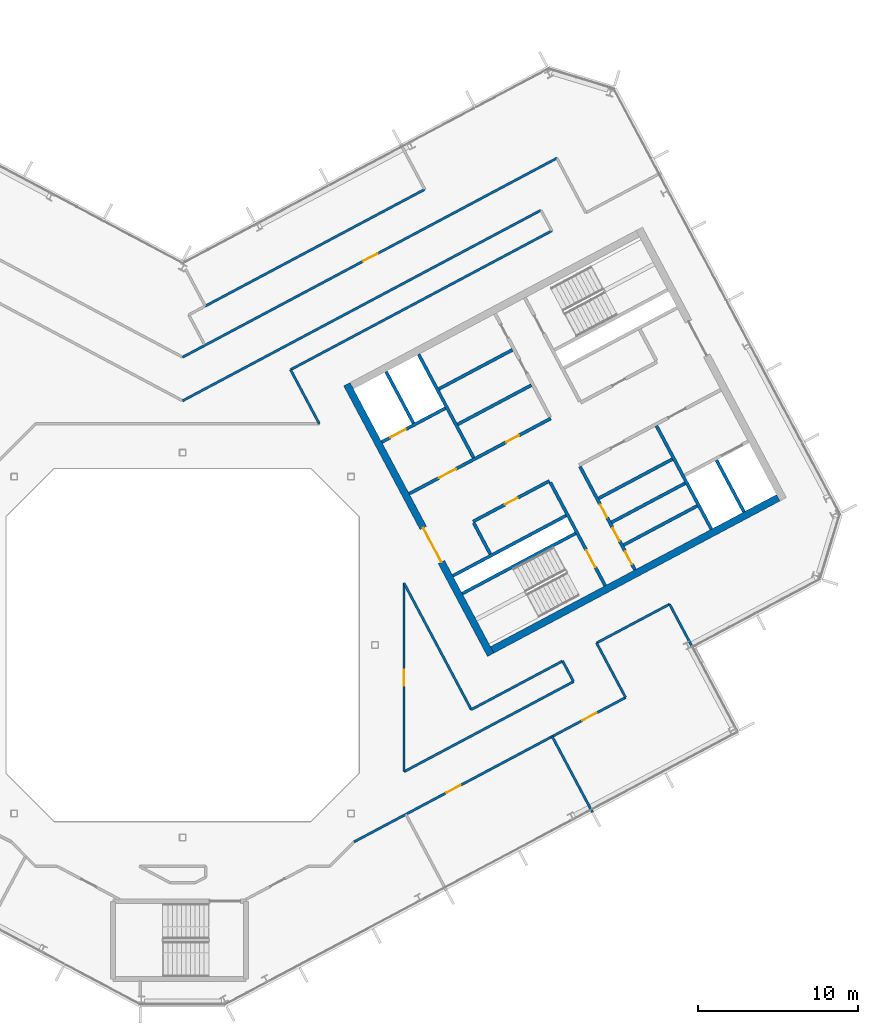
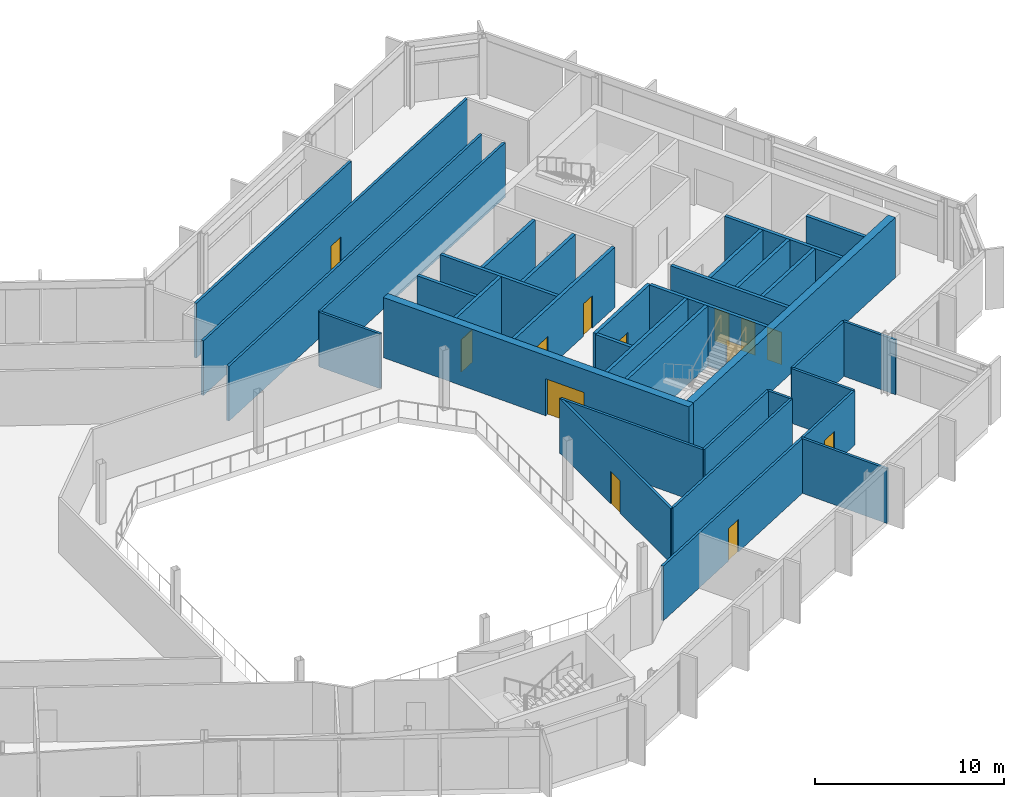
# One storey, part 16 of 26: 35 walls, 13 doors, 13 openings.
"""IFC4 building model written with IfcOpenShell, lengths in metres."""

import ifcopenshell
import ifcopenshell.guid

model = None  # the IFC model being written
_history = None  # IfcOwnerHistory: only IFC2X3 demands one
_inside = {}  # id of a spatial element -> (the spatial element, [elements in it])
_under = {}  # id of a project, library or spatial element -> (it, [spatial elements below it])
_declared = {}  # id of a project -> (the project, [libraries it declares])
_typed = {}  # id of a type object -> (the type object, [elements of that type])
_made_of = {}  # id of a material, layer set ... -> (it, [elements and type objects made of it])


def new_model(schema):
    """Start an empty IFC model of exactly this schema.

    Asked for "IFC4X3", IfcOpenShell would pick the latest addendum, in which some entities
    have other attributes; the version numbers below select the first issue.
    IFC2X3 requires an IfcOwnerHistory on every rooted entity: one is made here for all.
    """
    global model, _history
    if schema == "IFC4X3":
        model = ifcopenshell.file(schema_version=(4, 3, 0, 0))
    else:
        model = ifcopenshell.file(schema=schema)
    _inside.clear()
    _under.clear()
    _declared.clear()
    _typed.clear()
    _made_of.clear()
    _history = None
    if model.schema == "IFC2X3":
        org = make("IfcOrganization", Name="unknown")
        user = make(
            "IfcPersonAndOrganization",
            ThePerson=make("IfcPerson", FamilyName="unknown"),
            TheOrganization=org,
        )
        app = make(
            "IfcApplication",
            ApplicationDeveloper=org,
            Version="unknown",
            ApplicationFullName="unknown",
            ApplicationIdentifier="unknown",
        )
        _history = make(
            "IfcOwnerHistory",
            OwningUser=user,
            OwningApplication=app,
            ChangeAction="ADDED",
            CreationDate=0,
        )
    return model


def make(cls, **values):
    """One entity of the class cls with the attributes given. An attribute that is None is left unset."""
    return model.create_entity(
        cls, **{name: value for name, value in values.items() if value is not None}
    )


def rooted(cls, **values):
    """An entity with a GlobalId (a new one), such as an element, a storey or a relation."""
    return make(cls, GlobalId=ifcopenshell.guid.new(), OwnerHistory=_history, **values)


def si_unit(unit_type, name, prefix=None):
    """IfcSIUnit, for example si_unit("LENGTHUNIT", "METRE", prefix="MILLI")."""
    return make("IfcSIUnit", UnitType=unit_type, Prefix=prefix, Name=name)


def assignment(units):
    """IfcUnitAssignment: the units of a project."""
    return None if units is None else make("IfcUnitAssignment", Units=units)


def point(xyz):
    """IfcCartesianPoint."""
    return None if xyz is None else make("IfcCartesianPoint", Coordinates=xyz)


def direction(xyz):
    """IfcDirection."""
    return None if xyz is None else make("IfcDirection", DirectionRatios=xyz)


def frame(location, z_axis=None, x_axis=None):
    """IfcAxis2Placement3D, a coordinate frame: its origin and axes. An axis left out is left unset."""
    return make(
        "IfcAxis2Placement3D",
        Location=point(location),
        Axis=direction(z_axis),
        RefDirection=direction(x_axis),
    )


def frame_2d(location, x_axis=None):
    """IfcAxis2Placement2D, a coordinate frame in the plane: its origin and x axis."""
    return make(
        "IfcAxis2Placement2D", Location=point(location), RefDirection=direction(x_axis)
    )


def origin():
    """The frame at (0, 0, 0) with its axes left unset."""
    return frame((0.0, 0.0, 0.0))


def place(relative_to, where):
    """IfcLocalPlacement: puts the frame where relative to a parent placement (None: the world)."""
    return make(
        "IfcLocalPlacement", PlacementRelTo=relative_to, RelativePlacement=where
    )


def context(
    kind, dimensions, precision=None, world=None, true_north=None, identifier=None
):
    """IfcGeometricRepresentationContext, for example the 3D "Model" context."""
    return make(
        "IfcGeometricRepresentationContext",
        ContextIdentifier=identifier,
        ContextType=kind,
        CoordinateSpaceDimension=dimensions,
        Precision=precision,
        WorldCoordinateSystem=world,
        TrueNorth=true_north,
    )


def subcontext(parent, identifier, kind, view, scale=None):
    """IfcGeometricRepresentationSubContext, for example "Body" below "Model"."""
    return make(
        "IfcGeometricRepresentationSubContext",
        ContextIdentifier=identifier,
        ContextType=kind,
        ParentContext=parent,
        TargetScale=scale,
        TargetView=view,
    )


def project(units=None, contexts=None):
    """IfcProject with its units and contexts."""
    return rooted(
        "IfcProject",
        Name="project",
        RepresentationContexts=contexts,
        UnitsInContext=assignment(units),
    )


def spatial(cls, under=None, at=None, **own):
    """A site, building, storey or space (cls), placed at a placement, below another one or the project."""
    s = rooted(cls, ObjectPlacement=at, **own)
    if under is not None:
        _under.setdefault(under.id(), (under, []))[1].append(s)
    return s


def profile(cls, at=None, kind="AREA", **sizes):
    """A parametric profile (cls). Its sizes go by their IFC names, for example OverallWidth=200.0."""
    return make(cls, ProfileType=kind, Position=at, **sizes)


def rectangle(**sizes):
    """IfcRectangleProfileDef."""
    return profile("IfcRectangleProfileDef", **sizes)


def extrude(swept, where, along, depth):
    """IfcExtrudedAreaSolid: the profile swept, set in the frame where, extruded along a direction by depth."""
    return make(
        "IfcExtrudedAreaSolid",
        SweptArea=swept,
        Position=where,
        ExtrudedDirection=direction(along),
        Depth=depth,
    )


def shape(context_of_items, identifier, shape_type, items):
    """IfcShapeRepresentation: the items that make up one representation, for example the "Body"."""
    return make(
        "IfcShapeRepresentation",
        ContextOfItems=context_of_items,
        RepresentationIdentifier=identifier,
        RepresentationType=shape_type,
        Items=items,
    )


def material(Name=None, Category=None):
    """IfcMaterial."""
    return make("IfcMaterial", Name=Name, Category=Category)


def layer(
    of_material, thickness, ventilated=None, Name=None, Category=None, Priority=None
):
    """IfcMaterialLayer: one layer of a wall or slab, of a material (None: an air gap)."""
    return make(
        "IfcMaterialLayer",
        Material=of_material,
        LayerThickness=thickness,
        IsVentilated=ventilated,
        Name=Name,
        Category=Category,
        Priority=Priority,
    )


def layer_set(layers, Name=None):
    """IfcMaterialLayerSet."""
    return make("IfcMaterialLayerSet", MaterialLayers=layers, LayerSetName=Name)


def made_of(thing, what):
    """Note that an element or type object is made of a material, layer set ...; save() writes the relation."""
    if what is not None:
        _made_of.setdefault(what.id(), (what, []))[1].append(thing)
    return thing


def type_object(cls, material=None, **own):
    """A type object (cls), such as IfcWallType, which elements share."""
    return made_of(rooted(cls, **own), material)


def element(
    cls,
    number,
    at=None,
    inside=None,
    cuts=None,
    type_object=None,
    material=None,
    context=None,
    identifier="Body",
    shape_type=None,
    held_by="IfcProductDefinitionShape",
    body=None,
    shapes=None,
    **own,
):
    """One element of the class cls, such as IfcWall. Its Tag is "e" and its number.

    at: its placement. inside: the storey or other place that contains it. cuts: it is an
    opening in that element (IfcRelVoidsElement). A single representation is given by context,
    identifier, shape_type and body (its items); several are given by shapes. held_by: the class
    of the entity that holds the representations. save() writes the other relations.
    """
    e = rooted(cls, Tag="e%d" % number, ObjectPlacement=at, **own)
    if body is not None:
        shapes = [shape(context, identifier, shape_type, body)]
    if shapes is not None:
        e.Representation = make(held_by, Representations=shapes)
    if inside is not None:
        _inside.setdefault(inside.id(), (inside, []))[1].append(e)
    if cuts is not None:
        rooted(
            "IfcRelVoidsElement", RelatingBuildingElement=cuts, RelatedOpeningElement=e
        )
    if type_object is not None:
        _typed.setdefault(type_object.id(), (type_object, []))[1].append(e)
    return made_of(e, material)


def fill(opening, filler):
    """IfcRelFillsElement: the door or window that sits in an opening."""
    return rooted(
        "IfcRelFillsElement",
        RelatingOpeningElement=opening,
        RelatedBuildingElement=filler,
    )


def aggregate(whole, parts):
    """IfcRelAggregates: a whole, such as a stair, and the parts it consists of."""
    return rooted("IfcRelAggregates", RelatingObject=whole, RelatedObjects=parts)


def save(model, path):
    """Write the relations noted so far, then the file.

    IfcRelAggregates (storeys below a building ...), IfcRelContainedInSpatialStructure (elements
    in a storey), IfcRelDefinesByType, IfcRelAssociatesMaterial and IfcRelDeclares: one each for
    every whole, place, type object, material and project.
    """
    for whole, parts in _under.values():
        aggregate(whole, parts)
    for where, things in _inside.values():
        rooted(
            "IfcRelContainedInSpatialStructure",
            RelatedElements=things,
            RelatingStructure=where,
        )
    for kind, things in _typed.values():
        rooted("IfcRelDefinesByType", RelatedObjects=things, RelatingType=kind)
    for what, things in _made_of.values():
        rooted("IfcRelAssociatesMaterial", RelatedObjects=things, RelatingMaterial=what)
    for by, libraries in _declared.values():
        rooted("IfcRelDeclares", RelatingContext=by, RelatedDefinitions=libraries)
    model.write(path)


model = new_model("IFC4")

# Units and contexts
model_context = context("Model", 3, precision=1e-05, world=origin(), true_north=direction((0.0, 1.0)))
body_context = subcontext(model_context, "Body", "Model", "MODEL_VIEW")
ifc_project = project(units=[si_unit("LENGTHUNIT", "METRE"), si_unit("AREAUNIT", "SQUARE_METRE"), si_unit("VOLUMEUNIT", "CUBIC_METRE"), si_unit("PLANEANGLEUNIT", "RADIAN"), si_unit("MASSUNIT", "GRAM", prefix="KILO")], contexts=[model_context])

# Site, building, storey
site_placement = place(None, origin())
site = spatial("IfcSite", under=ifc_project, at=site_placement, CompositionType="ELEMENT")
building_placement = place(site_placement, origin())
building = spatial("IfcBuilding", under=site, at=building_placement, Name="Cormorant Relay Tower", CompositionType="ELEMENT")
storey_placement = place(building_placement, frame((0.0, 0.0, 308.699951171875)))
storey = spatial("IfcBuildingStorey", under=building, at=storey_placement, Name="L70", CompositionType="ELEMENT", Elevation=308.699951171875)

# Walls
ifc_material_1 = material(Name="Concrete 40 MPa", Category="concrete")
ifc_layer_1 = layer(ifc_material_1, 0.199951171875)
ifc_layer_set_1 = layer_set([ifc_layer_1], Name="Core internal wall 200")
wall_type_1 = type_object("IfcWallType", Name="Core internal wall 200", PredefinedType="SOLIDWALL", material=ifc_layer_set_1)
for number, where, z_axis, x_axis, name in (
    (1, (27.490234375, 6.23583984375, 0.0), (0.0, 0.0, 1.0), (0.882953967957, 0.469459572775, 0.0), "L70 core B shaft and room wall"),
    (2, (26.739013671875, 7.6484375, 0.0), (0.0, 0.0, 1.0), (0.882934506056, 0.469496174655, 0.0), "L70 core B shaft and room wall"),
    (3, (15.97314453125, 15.968017578125, 0.0), (0.0, 0.0, 1.0), (0.882953967957, 0.469459572775, 0.0), "L70 core B shaft and room wall"),
):
    element("IfcWall", number, at=place(storey_placement, frame(where, z_axis=z_axis, x_axis=x_axis)), inside=storey, type_object=wall_type_1, Name=name, PredefinedType="SOLIDWALL", context=body_context, shape_type="SweptSolid", body=[
        extrude(rectangle(XDim=5.199951171875, YDim=0.199951171875, at=frame_2d((2.60009765625, 0.0))), origin(), (0.0, 0.0, 1.0), 3.900146484375),
    ])
ifc_material_2 = material(Name="Concrete 50 MPa", Category="concrete")
ifc_layer_2 = layer(ifc_material_2, 0.199951171875)
ifc_layer_set_2 = layer_set([ifc_layer_2], Name="Core shaft wall 200")
wall_type_2 = type_object("IfcWallType", Name="Core shaft wall 200", PredefinedType="SHEAR", material=ifc_layer_set_2)
wall_1_placement = place(storey_placement, frame((14.39404296875, 13.825927734375, 0.0), z_axis=(0.0, 0.0, 1.0), x_axis=(-0.469494272526, 0.882935517501, 0.0)))
element("IfcWall", 4, at=wall_1_placement, inside=storey, type_object=wall_type_2, Name="L70 core B shaft wall", PredefinedType="SHEAR", context=body_context, shape_type="SweptSolid", body=[
    extrude(rectangle(XDim=3.64990234375, YDim=0.199951171875, at=frame_2d((1.824951171875, 0.0))), origin(), (0.0, 0.0, 1.0), 3.900146484375),
])
wall_2_placement = place(storey_placement, frame((19.18359375, 5.669921875, 0.0), z_axis=(0.0, 0.0, 1.0), x_axis=(-0.4694473164, 0.882960484464, 0.0)))
element("IfcWall", 5, at=wall_2_placement, inside=storey, type_object=wall_type_2, Name="L70 core B shaft wall", PredefinedType="SHEAR", context=body_context, shape_type="SweptSolid", body=[
    extrude(rectangle(XDim=2.199951171875, YDim=0.199951171875, at=frame_2d((1.10009765625, 0.0))), origin(), (0.0, 0.0, 1.0), 3.900146484375),
])
wall_3_placement = place(storey_placement, frame((18.138427734375, 11.682861328125, 0.0), z_axis=(0.0, 0.0, 1.0), x_axis=(-0.469480409012, 0.88294288918, 0.0)))
element("IfcWall", 6, at=wall_3_placement, inside=storey, type_object=wall_type_2, Name="L70 core B shaft wall", PredefinedType="SHEAR", context=body_context, shape_type="SweptSolid", body=[
    extrude(rectangle(XDim=7.300048828125, YDim=0.199951171875, at=frame_2d((3.64990234375, 0.0))), origin(), (0.0, 0.0, 1.0), 3.900146484375),
])

# Wall, opening, door
wall_4_placement = place(storey_placement, frame((26.345947265625, 3.701904296875, 0.0), z_axis=(0.0, 0.0, 1.0), x_axis=(-0.469480409012, 0.88294288918, 0.0)))
wall_4 = element("IfcWall", 7, at=wall_4_placement, inside=storey, type_object=wall_type_2, Name="L70 core B shaft wall", PredefinedType="SHEAR", context=body_context, shape_type="SweptSolid", body=[
    extrude(rectangle(XDim=7.300048828125, YDim=0.199951171875, at=frame_2d((3.64990234375, 0.0))), origin(), (0.0, 0.0, 1.0), 3.900146484375),
])
opening_1_placement = place(wall_4_placement, frame((1.300048828125, 0.0, 0.0)))
opening_1 = element("IfcOpeningElement", 8, at=opening_1_placement, cuts=wall_4, Name="Opening CDB-040", PredefinedType="OPENING", context=body_context, shape_type="SweptSolid", body=[
    extrude(rectangle(XDim=1.199951171875, YDim=2.10009765625, at=frame_2d((0.60009765625, 1.050048828125))), frame((0.0, 0.10986328125, 0.0), z_axis=(0.0, -1.0, 0.0), x_axis=(1.0, 0.0, 0.0)), (0.0, 0.0, 1.0), 0.219970703125),
])
ifc_material_3 = material(Name="Steel fire door", Category="steel")
door_type_1 = type_object("IfcDoorType", Name="Core stair door 1200x2100", OperationType="SINGLE_SWING_LEFT", PredefinedType="DOOR", material=ifc_material_3)
door_1_placement = place(opening_1_placement, origin())
door_1 = element("IfcDoor", 9, at=door_1_placement, inside=storey, type_object=door_type_1, Name="Core stair door 1200x2100", OperationType="SINGLE_SWING_RIGHT", OverallHeight=2.10009765625, OverallWidth=1.199951171875, PredefinedType="DOOR", context=body_context, shape_type="SweptSolid", body=[
    extrude(rectangle(XDim=1.199951171875, YDim=2.10009765625, at=frame_2d((0.60009765625, 1.050048828125))), frame((0.0, 0.02490234375, 0.0), z_axis=(0.0, -1.0, 0.0), x_axis=(1.0, 0.0, 0.0)), (0.0, 0.0, 1.0), 0.050048828125),
])
fill(opening_1, door_1)

# Wall, openings, doors
wall_5_placement = place(storey_placement, frame((28.199951171875, 4.687744140625, 0.0), z_axis=(0.0, 0.0, 1.0), x_axis=(-0.469454336211, 0.882956752176, 0.0)))
wall_5 = element("IfcWall", 10, at=wall_5_placement, inside=storey, type_object=wall_type_2, Name="L70 core B shaft wall", PredefinedType="SHEAR", context=body_context, shape_type="SweptSolid", body=[
    extrude(rectangle(XDim=7.300048828125, YDim=0.199951171875, at=frame_2d((3.64990234375, 0.0))), origin(), (0.0, 0.0, 1.0), 3.900146484375),
])
opening_2_placement = place(wall_5_placement, frame((0.39990234375, 0.0, 0.0)))
opening_2 = element("IfcOpeningElement", 11, at=opening_2_placement, cuts=wall_5, Name="Opening CDD-343", PredefinedType="OPENING", context=body_context, shape_type="SweptSolid", body=[
    extrude(rectangle(XDim=0.89990234375, YDim=2.10009765625, at=frame_2d((0.449951171875, 1.050048828125))), frame((0.0, 0.10986328125, 0.0), z_axis=(0.0, -1.0, 0.0), x_axis=(1.0, 0.0, 0.0)), (0.0, 0.0, 1.0), 0.219970703125),
])
opening_3_placement = place(wall_5_placement, frame((2.050048828125, 0.0, 0.0)))
opening_3 = element("IfcOpeningElement", 12, at=opening_3_placement, cuts=wall_5, Name="Opening CDD-317", PredefinedType="OPENING", context=body_context, shape_type="SweptSolid", body=[
    extrude(rectangle(XDim=0.89990234375, YDim=2.10009765625, at=frame_2d((0.449951171875, 1.050048828125))), frame((0.0, 0.10986328125, 0.0), z_axis=(0.0, -1.0, 0.0), x_axis=(1.0, 0.0, 0.0)), (0.0, 0.0, 1.0), 0.219970703125),
])
opening_4_placement = place(wall_5_placement, frame((3.699951171875, 0.0, 0.0)))
opening_4 = element("IfcOpeningElement", 13, at=opening_4_placement, cuts=wall_5, Name="Opening CDD-336", PredefinedType="OPENING", context=body_context, shape_type="SweptSolid", body=[
    extrude(rectangle(XDim=0.89990234375, YDim=2.10009765625, at=frame_2d((0.449951171875, 1.050048828125))), frame((0.0, 0.10986328125, 0.0), z_axis=(0.0, -1.0, 0.0), x_axis=(1.0, 0.0, 0.0)), (0.0, 0.0, 1.0), 0.219970703125),
])
ifc_material_4 = material(Name="Steel fire door", Category="steel")
door_type_2 = type_object("IfcDoorType", Name="Core room door 900x2100", OperationType="SINGLE_SWING_LEFT", PredefinedType="DOOR", material=ifc_material_4)
door_2_placement = place(opening_2_placement, frame((0.89990234375, 0.0, 0.0), z_axis=(0.0, 0.0, 1.0), x_axis=(-1.0, 0.0, 0.0)))
door_2 = element("IfcDoor", 14, at=door_2_placement, inside=storey, type_object=door_type_2, Name="Core room door 900x2100", OperationType="SINGLE_SWING_LEFT", OverallHeight=2.10009765625, OverallWidth=0.89990234375, PredefinedType="DOOR", context=body_context, shape_type="SweptSolid", body=[
    extrude(rectangle(XDim=0.89990234375, YDim=2.10009765625, at=frame_2d((0.449951171875, 1.050048828125))), frame((0.0, 0.02490234375, 0.0), z_axis=(0.0, -1.0, 0.0), x_axis=(1.0, 0.0, 0.0)), (0.0, 0.0, 1.0), 0.050048828125),
])
fill(opening_2, door_2)
door_3_placement = place(opening_3_placement, frame((0.89990234375, 0.0, 0.0), z_axis=(0.0, 0.0, 1.0), x_axis=(-1.0, 0.0, 0.0)))
door_3 = element("IfcDoor", 15, at=door_3_placement, inside=storey, type_object=door_type_2, Name="Core room door 900x2100", OperationType="SINGLE_SWING_LEFT", OverallHeight=2.10009765625, OverallWidth=0.89990234375, PredefinedType="DOOR", context=body_context, shape_type="SweptSolid", body=[
    extrude(rectangle(XDim=0.89990234375, YDim=2.10009765625, at=frame_2d((0.449951171875, 1.050048828125))), frame((0.0, 0.02490234375, 0.0), z_axis=(0.0, -1.0, 0.0), x_axis=(1.0, 0.0, 0.0)), (0.0, 0.0, 1.0), 0.050048828125),
])
fill(opening_3, door_3)
door_4_placement = place(opening_4_placement, frame((0.89990234375, 0.0, 0.0), z_axis=(0.0, 0.0, 1.0), x_axis=(-1.0, 0.0, 0.0)))
door_4 = element("IfcDoor", 16, at=door_4_placement, inside=storey, type_object=door_type_2, Name="Core room door 900x2100", OperationType="SINGLE_SWING_LEFT", OverallHeight=2.10009765625, OverallWidth=0.89990234375, PredefinedType="DOOR", context=body_context, shape_type="SweptSolid", body=[
    extrude(rectangle(XDim=0.89990234375, YDim=2.10009765625, at=frame_2d((0.449951171875, 1.050048828125))), frame((0.0, 0.02490234375, 0.0), z_axis=(0.0, -1.0, 0.0), x_axis=(1.0, 0.0, 0.0)), (0.0, 0.0, 1.0), 0.050048828125),
])
fill(opening_4, door_4)

# Walls
wall_6_placement = place(storey_placement, frame((32.968017578125, 7.222900390625, 0.0), z_axis=(0.0, 0.0, 1.0), x_axis=(-0.469480409012, 0.88294288918, 0.0)))
element("IfcWall", 17, at=wall_6_placement, inside=storey, type_object=wall_type_2, Name="L70 core B shaft wall", PredefinedType="SHEAR", context=body_context, shape_type="SweptSolid", body=[
    extrude(rectangle(XDim=7.300048828125, YDim=0.199951171875, at=frame_2d((3.64990234375, 0.0))), origin(), (0.0, 0.0, 1.0), 3.900146484375),
])
wall_7_placement = place(storey_placement, frame((34.998779296875, 8.302734375, 0.0), z_axis=(0.0, 0.0, 1.0), x_axis=(-0.4694665462, 0.882950260207, 0.0)))
element("IfcWall", 18, at=wall_7_placement, inside=storey, type_object=wall_type_2, Name="L70 core B shaft wall", PredefinedType="SHEAR", context=body_context, shape_type="SweptSolid", body=[
    extrude(rectangle(XDim=3.650146484375, YDim=0.199951171875, at=frame_2d((1.8251953125, 0.0))), origin(), (0.0, 0.0, 1.0), 3.900146484375),
])
for number, where, z_axis, x_axis, name in (
    (19, (17.43359375, 3.210205078125, 0.0), (0.0, 0.0, 1.0), (0.882940221191, 0.469485426614, 0.0), "L70 core B shaft wall"),
    (20, (16.8466796875, 4.31396484375, 0.0), (0.0, 0.0, 1.0), (0.882940221191, 0.469485426614, 0.0), "L70 core B shaft wall"),
):
    element("IfcWall", number, at=place(storey_placement, frame(where, z_axis=z_axis, x_axis=x_axis)), inside=storey, type_object=wall_type_2, Name=name, PredefinedType="SHEAR", context=body_context, shape_type="SweptSolid", body=[
        extrude(rectangle(XDim=8.0, YDim=0.199951171875, at=frame_2d((4.0, 0.0))), origin(), (0.0, 0.0, 1.0), 3.900146484375),
    ])
wall_8_placement = place(storey_placement, frame((25.94091796875, 9.149658203125, 0.0), z_axis=(0.0, 0.0, 1.0), x_axis=(0.882953967957, 0.469459572775, 0.0)))
element("IfcWall", 21, at=wall_8_placement, inside=storey, type_object=wall_type_2, Name="L70 core B shaft wall", PredefinedType="SHEAR", context=body_context, shape_type="SweptSolid", body=[
    extrude(rectangle(XDim=5.199951171875, YDim=0.199951171875, at=frame_2d((2.60009765625, 0.0))), origin(), (0.0, 0.0, 1.0), 3.900146484375),
])

# Wall, opening, door
wall_9_placement = place(storey_placement, frame((18.103759765625, 7.70068359375, 0.0), z_axis=(0.0, 0.0, 1.0), x_axis=(0.882952937579, 0.469461510692, 0.0)))
wall_9 = element("IfcWall", 22, at=wall_9_placement, inside=storey, type_object=wall_type_2, Name="L70 core B shaft wall", PredefinedType="SHEAR", context=body_context, shape_type="SweptSolid", body=[
    extrude(rectangle(XDim=5.400146484375, YDim=0.199951171875, at=frame_2d((2.7001953125, 0.0))), origin(), (0.0, 0.0, 1.0), 3.900146484375),
])
opening_5_placement = place(wall_9_placement, frame((2.25, 0.0, 0.0)))
opening_5 = element("IfcOpeningElement", 23, at=opening_5_placement, cuts=wall_9, Name="Opening CDD-262", PredefinedType="OPENING", context=body_context, shape_type="SweptSolid", body=[
    extrude(rectangle(XDim=0.89990234375, YDim=2.10009765625, at=frame_2d((0.449951171875, 1.050048828125))), frame((0.0, 0.10986328125, 0.0), z_axis=(0.0, -1.0, 0.0), x_axis=(1.0, 0.0, 0.0)), (0.0, 0.0, 1.0), 0.219970703125),
])
door_5_placement = place(opening_5_placement, frame((0.89990234375, 0.0, 0.0), z_axis=(0.0, 0.0, 1.0), x_axis=(-1.0, 0.0, 0.0)))
door_5 = element("IfcDoor", 24, at=door_5_placement, inside=storey, type_object=door_type_2, Name="Core room door 900x2100", OperationType="SINGLE_SWING_RIGHT", OverallHeight=2.10009765625, OverallWidth=0.89990234375, PredefinedType="DOOR", context=body_context, shape_type="SweptSolid", body=[
    extrude(rectangle(XDim=0.89990234375, YDim=2.10009765625, at=frame_2d((0.449951171875, 1.050048828125))), frame((0.0, 0.02490234375, 0.0), z_axis=(0.0, -1.0, 0.0), x_axis=(1.0, 0.0, 0.0)), (0.0, 0.0, 1.0), 0.050048828125),
])
fill(opening_5, door_5)

# Wall, openings, doors
wall_10_placement = place(storey_placement, frame((14.123779296875, 9.43505859375, 0.0), z_axis=(0.0, 0.0, 1.0), x_axis=(0.882940221191, 0.469485426614, 0.0)))
wall_10 = element("IfcWall", 25, at=wall_10_placement, inside=storey, type_object=wall_type_2, Name="L70 core B shaft wall", PredefinedType="SHEAR", context=body_context, shape_type="SweptSolid", body=[
    extrude(rectangle(XDim=10.0, YDim=0.199951171875, at=frame_2d((5.0, 0.0))), origin(), (0.0, 0.0, 1.0), 3.900146484375),
])
opening_6_placement = place(wall_10_placement, frame((2.10009765625, 0.0, 0.0)))
opening_6 = element("IfcOpeningElement", 26, at=opening_6_placement, cuts=wall_10, Name="Opening CDC-037", PredefinedType="OPENING", context=body_context, shape_type="SweptSolid", body=[
    extrude(rectangle(XDim=1.199951171875, YDim=2.10009765625, at=frame_2d((0.60009765625, 1.050048828125))), frame((0.0, 0.10986328125, 0.0), z_axis=(0.0, -1.0, 0.0), x_axis=(1.0, 0.0, 0.0)), (0.0, 0.0, 1.0), 0.219970703125),
])
opening_7_placement = place(wall_10_placement, frame((6.85009765625, 0.0, 0.0)))
opening_7 = element("IfcOpeningElement", 27, at=opening_7_placement, cuts=wall_10, Name="Opening CDD-260", PredefinedType="OPENING", context=body_context, shape_type="SweptSolid", body=[
    extrude(rectangle(XDim=0.89990234375, YDim=2.10009765625, at=frame_2d((0.449951171875, 1.050048828125))), frame((0.0, 0.10986328125, 0.0), z_axis=(0.0, -1.0, 0.0), x_axis=(1.0, 0.0, 0.0)), (0.0, 0.0, 1.0), 0.219970703125),
])
ifc_material_5 = material(Name="Steel fire door", Category="steel")
door_type_3 = type_object("IfcDoorType", Name="Core lobby door 1200x2100", OperationType="SINGLE_SWING_LEFT", PredefinedType="DOOR", material=ifc_material_5)
door_6_placement = place(opening_6_placement, origin())
door_6 = element("IfcDoor", 28, at=door_6_placement, inside=storey, type_object=door_type_3, Name="Core lobby door 1200x2100", OperationType="SINGLE_SWING_RIGHT", OverallHeight=2.10009765625, OverallWidth=1.199951171875, PredefinedType="DOOR", context=body_context, shape_type="SweptSolid", body=[
    extrude(rectangle(XDim=1.199951171875, YDim=2.10009765625, at=frame_2d((0.60009765625, 1.050048828125))), frame((0.0, 0.02490234375, 0.0), z_axis=(0.0, -1.0, 0.0), x_axis=(1.0, 0.0, 0.0)), (0.0, 0.0, 1.0), 0.050048828125),
])
fill(opening_6, door_6)
door_7_placement = place(opening_7_placement, origin())
door_7 = element("IfcDoor", 29, at=door_7_placement, inside=storey, type_object=door_type_2, Name="Core room door 900x2100", OperationType="SINGLE_SWING_LEFT", OverallHeight=2.10009765625, OverallWidth=0.89990234375, PredefinedType="DOOR", context=body_context, shape_type="SweptSolid", body=[
    extrude(rectangle(XDim=0.89990234375, YDim=2.10009765625, at=frame_2d((0.449951171875, 1.050048828125))), frame((0.0, 0.02490234375, 0.0), z_axis=(0.0, -1.0, 0.0), x_axis=(1.0, 0.0, 0.0)), (0.0, 0.0, 1.0), 0.050048828125),
])
fill(opening_7, door_7)

# Wall
wall_11_placement = place(storey_placement, frame((17.146728515625, 13.7607421875, 0.0), z_axis=(0.0, 0.0, 1.0), x_axis=(0.882964314875, 0.469440111896, 0.0)))
element("IfcWall", 30, at=wall_11_placement, inside=storey, type_object=wall_type_2, Name="L70 core B shaft wall", PredefinedType="SHEAR", context=body_context, shape_type="SweptSolid", body=[
    extrude(rectangle(XDim=5.2001953125, YDim=0.199951171875, at=frame_2d((2.60009765625, 0.0))), origin(), (0.0, 0.0, 1.0), 3.900146484375),
])

# Wall, opening, door
wall_12_placement = place(storey_placement, frame((12.41015625, 12.657958984375, 0.0), z_axis=(0.0, 0.0, 1.0), x_axis=(0.8829484765, 0.469469900894, 0.0)))
wall_12 = element("IfcWall", 31, at=wall_12_placement, inside=storey, type_object=wall_type_2, Name="L70 core B shaft wall", PredefinedType="SHEAR", context=body_context, shape_type="SweptSolid", body=[
    extrude(rectangle(XDim=4.499755859375, YDim=0.199951171875, at=frame_2d((2.25, 0.0))), origin(), (0.0, 0.0, 1.0), 3.900146484375),
])
opening_8_placement = place(wall_12_placement, frame((0.60009765625, 0.0, 0.0)))
opening_8 = element("IfcOpeningElement", 32, at=opening_8_placement, cuts=wall_12, Name="Opening LD1-064", PredefinedType="OPENING", context=body_context, shape_type="SweptSolid", body=[
    extrude(rectangle(XDim=1.10009765625, YDim=2.10009765625, at=frame_2d((0.550048828125, 1.050048828125))), frame((0.0, 0.10986328125, 0.0), z_axis=(0.0, -1.0, 0.0), x_axis=(1.0, 0.0, 0.0)), (0.0, 0.0, 1.0), 0.219970703125),
])
ifc_material_6 = material(Name="Stainless steel 316", Category="steel")
door_type_4 = type_object("IfcDoorType", Name="Lift landing door 1100x2100", OperationType="DOUBLE_DOOR_SLIDING", PredefinedType="DOOR", material=ifc_material_6)
door_8_placement = place(opening_8_placement, origin())
door_8 = element("IfcDoor", 33, at=door_8_placement, inside=storey, type_object=door_type_4, Name="FF2 landing door", OperationType="DOUBLE_DOOR_SLIDING", OverallHeight=2.10009765625, OverallWidth=1.10009765625, PredefinedType="DOOR", context=body_context, shape_type="SweptSolid", body=[
    extrude(rectangle(XDim=1.10009765625, YDim=2.10009765625, at=frame_2d((0.550048828125, 1.050048828125))), frame((0.0, 0.02490234375, 0.0), z_axis=(0.0, -1.0, 0.0), x_axis=(1.0, 0.0, 0.0)), (0.0, 0.0, 1.0), 0.050048828125),
])
fill(opening_8, door_8)

ifc_material_7 = material(Name="Concrete 50 MPa", Category="concrete")
ifc_layer_3 = layer(ifc_material_7, 0.449951171875)
ifc_layer_set_3 = layer_set([ifc_layer_3], Name="Core wall 450")
wall_type_3 = type_object("IfcWallType", Name="Core wall 450", PredefinedType="SHEAR", material=ifc_layer_set_3)
wall_13_placement = place(storey_placement, frame((19.20654296875, -0.603759765625, 0.0), z_axis=(0.0, 0.0, 1.0), x_axis=(-0.469467968382, 0.882949504028, 0.0)))
wall_13 = element("IfcWall", 34, at=wall_13_placement, inside=storey, type_object=wall_type_3, Name="L70 core B wall", PredefinedType="SHEAR", context=body_context, shape_type="SweptSolid", body=[
    extrude(rectangle(XDim=19.099853515625, YDim=0.449951171875, at=frame_2d((9.5498046875, 0.0))), origin(), (0.0, 0.0, 1.0), 3.900146484375),
])
opening_9_placement = place(wall_13_placement, frame((6.550048828125, 0.0, 0.0)))
opening_9 = element("IfcOpeningElement", 35, at=opening_9_placement, cuts=wall_13, Name="Opening CDA-055", PredefinedType="OPENING", context=body_context, shape_type="SweptSolid", body=[
    extrude(rectangle(XDim=2.39990234375, YDim=2.39990234375, at=frame_2d((1.199951171875, 1.199951171875))), frame((0.0, 0.23486328125, 0.0), z_axis=(0.0, -1.0, 0.0), x_axis=(1.0, 0.0, 0.0)), (0.0, 0.0, 1.0), 0.469970703125),
])
ifc_material_8 = material(Name="Steel fire door", Category="steel")
door_type_5 = type_object("IfcDoorType", Name="Core lobby door 2400x2400", OperationType="DOUBLE_DOOR_SINGLE_SWING", PredefinedType="DOOR", material=ifc_material_8)
door_9_placement = place(opening_9_placement, origin())
door_9 = element("IfcDoor", 36, at=door_9_placement, inside=storey, type_object=door_type_5, Name="Core lobby door 2400x2400", OperationType="DOUBLE_DOOR_SINGLE_SWING", OverallHeight=2.39990234375, OverallWidth=2.39990234375, PredefinedType="DOOR", context=body_context, shape_type="SweptSolid", body=[
    extrude(rectangle(XDim=2.39990234375, YDim=2.39990234375, at=frame_2d((1.199951171875, 1.199951171875))), frame((0.0, 0.02490234375, 0.0), z_axis=(0.0, -1.0, 0.0), x_axis=(1.0, 0.0, 0.0)), (0.0, 0.0, 1.0), 0.050048828125),
])
fill(opening_9, door_9)

# Walls
wall_14_placement = place(storey_placement, frame((19.299560546875, -0.29931640625, 0.0), z_axis=(0.0, 0.0, 1.0), x_axis=(0.88295276571, 0.46946183394, 0.0)))
element("IfcWall", 37, at=wall_14_placement, inside=storey, type_object=wall_type_3, Name="L70 core B wall", PredefinedType="SHEAR", context=body_context, shape_type="SweptSolid", body=[
    extrude(rectangle(XDim=20.199951171875, YDim=0.449951171875, at=frame_2d((10.10009765625, 0.0))), origin(), (0.0, 0.0, 1.0), 3.900146484375),
])
ifc_material_9 = material(Name="Gypsum board fire partition")
ifc_layer_4 = layer(ifc_material_9, 0.14990234375)
ifc_layer_set_4 = layer_set([ifc_layer_4], Name="Corridor partition 150 EI 60")
wall_type_4 = type_object("IfcWallType", Name="Corridor partition 150 EI 60", PredefinedType="PARTITIONING", material=ifc_layer_set_4)
wall_15_placement = place(storey_placement, frame((0.0, 15.23291015625, 0.0), z_axis=(0.0, 0.0, 1.0), x_axis=(0.882940229487, 0.469485411012, 0.0)))
element("IfcWall", 38, at=wall_15_placement, inside=storey, type_object=wall_type_4, Name="wall/L70/part/017", PredefinedType="PARTITIONING", context=body_context, shape_type="SweptSolid", body=[
    extrude(rectangle(XDim=25.29833984375, YDim=0.14990234375, at=frame_2d((12.649169921875, 0.0))), origin(), (0.0, 0.0, 1.0), 3.5400390625),
])
wall_16_placement = place(storey_placement, frame((23.01806640625, 25.830078125, 0.0), z_axis=(0.0, 0.0, 1.0), x_axis=(-0.882935416105, -0.469494463213, 0.0)))
element("IfcWall", 39, at=wall_16_placement, inside=storey, type_object=wall_type_4, Name="wall/L70/part/019", PredefinedType="PARTITIONING", context=body_context, shape_type="SweptSolid", body=[
    extrude(rectangle(XDim=18.449951171875, YDim=0.14990234375, at=frame_2d((9.22509765625, 0.0))), origin(), (0.0, 0.0, 1.0), 3.5400390625),
])
wall_17_placement = place(storey_placement, frame((6.72802734375, 17.16796875, 0.0), z_axis=(0.0, 0.0, 1.0), x_axis=(0.469325262013, -0.883025366813, 0.0)))
element("IfcWall", 40, at=wall_17_placement, inside=storey, type_object=wall_type_4, Name="wall/L70/part/020", PredefinedType="PARTITIONING", context=body_context, shape_type="SweptSolid", body=[
    extrude(rectangle(XDim=3.81396484375, YDim=0.14990234375, at=frame_2d((1.906982421875, 0.0))), origin(), (0.0, 0.0, 1.0), 3.5400390625),
])

# Wall, opening, door
wall_18_placement = place(storey_placement, frame((0.0, 17.950927734375, 0.0), z_axis=(0.0, 0.0, 1.0), x_axis=(0.882944349917, 0.469477661821, 0.0)))
wall_18 = element("IfcWall", 41, at=wall_18_placement, inside=storey, type_object=wall_type_4, Name="wall/L70/part/040", PredefinedType="PARTITIONING", context=body_context, shape_type="SweptSolid", body=[
    extrude(rectangle(XDim=26.423095703125, YDim=0.14990234375, at=frame_2d((13.21142578125, 0.0))), origin(), (0.0, 0.0, 1.0), 3.5400390625),
])
opening_10_placement = place(wall_18_placement, frame((12.75, 0.0, 0.0)))
opening_10 = element("IfcOpeningElement", 42, at=opening_10_placement, cuts=wall_18, Name="Opening DS-246", PredefinedType="OPENING", context=body_context, shape_type="SweptSolid", body=[
    extrude(rectangle(XDim=1.0, YDim=2.10009765625, at=frame_2d((0.5, 1.050048828125))), frame((0.0, 0.0849609375, 0.0), z_axis=(0.0, -1.0, 0.0), x_axis=(1.0, 0.0, 0.0)), (0.0, 0.0, 1.0), 0.169921875),
])
ifc_material_10 = material(Name="Timber door leaf", Category="wood")
door_type_6 = type_object("IfcDoorType", Name="Suite door 1000x2100", OperationType="SINGLE_SWING_LEFT", PredefinedType="DOOR", material=ifc_material_10)
door_10_placement = place(opening_10_placement, origin())
door_10 = element("IfcDoor", 43, at=door_10_placement, inside=storey, type_object=door_type_6, Name="door/L70/005", OperationType="SINGLE_SWING_LEFT", OverallHeight=2.10009765625, OverallWidth=1.0, PredefinedType="DOOR", context=body_context, shape_type="SweptSolid", body=[
    extrude(rectangle(XDim=1.0, YDim=2.10009765625, at=frame_2d((0.5, 1.050048828125))), frame((0.0, 0.02490234375, 0.0), z_axis=(0.0, -1.0, 0.0), x_axis=(1.0, 0.0, 0.0)), (0.0, 0.0, 1.0), 0.050048828125),
])
fill(opening_10, door_10)

wall_19_placement = place(storey_placement, frame((23.10791015625, -5.6640625, 0.0), z_axis=(0.0, 0.0, 1.0), x_axis=(-0.882952650817, -0.469462050027, 0.0)))
wall_19 = element("IfcWall", 44, at=wall_19_placement, inside=storey, type_object=wall_type_4, Name="wall/L70/part/059", PredefinedType="PARTITIONING", context=body_context, shape_type="SweptSolid", body=[
    extrude(rectangle(XDim=14.058349609375, YDim=0.14990234375, at=frame_2d((7.029296875, 0.0))), origin(), (0.0, 0.0, 1.0), 3.5400390625),
])
opening_11_placement = place(wall_19_placement, frame((6.550048828125, 0.0, 0.0)))
opening_11 = element("IfcOpeningElement", 45, at=opening_11_placement, cuts=wall_19, Name="Opening DS-244", PredefinedType="OPENING", context=body_context, shape_type="SweptSolid", body=[
    extrude(rectangle(XDim=1.0, YDim=2.10009765625, at=frame_2d((0.5, 1.050048828125))), frame((0.0, 0.0849609375, 0.0), z_axis=(0.0, -1.0, 0.0), x_axis=(1.0, 0.0, 0.0)), (0.0, 0.0, 1.0), 0.169921875),
])
door_11_placement = place(opening_11_placement, origin())
door_11 = element("IfcDoor", 46, at=door_11_placement, inside=storey, type_object=door_type_6, Name="door/L70/003", OperationType="SINGLE_SWING_RIGHT", OverallHeight=2.10009765625, OverallWidth=1.0, PredefinedType="DOOR", context=body_context, shape_type="SweptSolid", body=[
    extrude(rectangle(XDim=1.0, YDim=2.10009765625, at=frame_2d((0.5, 1.050048828125))), frame((0.0, 0.02490234375, 0.0), z_axis=(0.0, -1.0, 0.0), x_axis=(1.0, 0.0, 0.0)), (0.0, 0.0, 1.0), 0.050048828125),
])
fill(opening_11, door_11)

wall_20_placement = place(storey_placement, frame((27.615966796875, -3.26708984375, 0.0), z_axis=(0.0, 0.0, 1.0), x_axis=(-0.882947883351, -0.469471016449, 0.0)))
wall_20 = element("IfcWall", 47, at=wall_20_placement, inside=storey, type_object=wall_type_4, Name="wall/L70/part/061", PredefinedType="PARTITIONING", context=body_context, shape_type="SweptSolid", body=[
    extrude(rectangle(XDim=5.105712890625, YDim=0.14990234375, at=frame_2d((2.552734375, 0.0))), origin(), (0.0, 0.0, 1.0), 3.5400390625),
])
opening_12_placement = place(wall_20_placement, frame((2.050048828125, 0.0, 0.0)))
opening_12 = element("IfcOpeningElement", 48, at=opening_12_placement, cuts=wall_20, Name="Opening DS-245", PredefinedType="OPENING", context=body_context, shape_type="SweptSolid", body=[
    extrude(rectangle(XDim=1.0, YDim=2.10009765625, at=frame_2d((0.5, 1.050048828125))), frame((0.0, 0.0849609375, 0.0), z_axis=(0.0, -1.0, 0.0), x_axis=(1.0, 0.0, 0.0)), (0.0, 0.0, 1.0), 0.169921875),
])
door_12_placement = place(opening_12_placement, origin())
door_12 = element("IfcDoor", 49, at=door_12_placement, inside=storey, type_object=door_type_6, Name="door/L70/004", OperationType="SINGLE_SWING_RIGHT", OverallHeight=2.10009765625, OverallWidth=1.0, PredefinedType="DOOR", context=body_context, shape_type="SweptSolid", body=[
    extrude(rectangle(XDim=1.0, YDim=2.10009765625, at=frame_2d((0.5, 1.050048828125))), frame((0.0, 0.02490234375, 0.0), z_axis=(0.0, -1.0, 0.0), x_axis=(1.0, 0.0, 0.0)), (0.0, 0.0, 1.0), 0.050048828125),
])
fill(opening_12, door_12)

# Walls
wall_21_placement = place(storey_placement, frame((27.615966796875, -3.26806640625, 0.0), z_axis=(0.0, 0.0, 1.0), x_axis=(-0.469331692053, 0.883021949237, 0.0)))
element("IfcWall", 50, at=wall_21_placement, inside=storey, type_object=wall_type_4, Name="wall/L70/part/062", PredefinedType="PARTITIONING", context=body_context, shape_type="SweptSolid", body=[
    extrude(rectangle(XDim=3.84375, YDim=0.14990234375, at=frame_2d((1.921875, 0.0))), origin(), (0.0, 0.0, 1.0), 3.5400390625),
])
wall_22_placement = place(storey_placement, frame((25.80908203125, 0.132080078125, 0.0), z_axis=(0.0, 0.0, 1.0), x_axis=(0.882919223655, 0.46952491361, 0.0)))
element("IfcWall", 51, at=wall_22_placement, inside=storey, type_object=wall_type_4, Name="wall/L70/part/065", PredefinedType="PARTITIONING", context=body_context, shape_type="SweptSolid", body=[
    extrude(rectangle(XDim=5.14990234375, YDim=0.14990234375, at=frame_2d((2.574951171875, 0.0))), origin(), (0.0, 0.0, 1.0), 3.5400390625),
])
wall_23_placement = place(storey_placement, frame((30.35595703125, 2.550048828125, 0.0), z_axis=(0.0, 0.0, 1.0), x_axis=(0.469630247772, -0.882863200263, 0.0)))
element("IfcWall", 52, at=wall_23_placement, inside=storey, type_object=wall_type_4, Name="wall/L70/part/066", PredefinedType="PARTITIONING", context=body_context, shape_type="SweptSolid", body=[
    extrude(rectangle(XDim=3.28125, YDim=0.14990234375, at=frame_2d((1.640625, 0.0))), origin(), (0.0, 0.0, 1.0), 3.5400390625),
])

# Wall, opening, door
wall_24_placement = place(storey_placement, frame((13.800048828125, -7.89501953125, 0.0), z_axis=(0.0, 0.0, 1.0), x_axis=(0.0, 1.0, 0.0)))
wall_24 = element("IfcWall", 53, at=wall_24_placement, inside=storey, type_object=wall_type_4, Name="wall/L70/part/072", PredefinedType="PARTITIONING", context=body_context, shape_type="SweptSolid", body=[
    extrude(rectangle(XDim=11.761962890625, YDim=0.14990234375, at=frame_2d((5.880859375, 0.0))), origin(), (0.0, 0.0, 1.0), 3.5400390625),
])
opening_13_placement = place(wall_24_placement, frame((5.35009765625, 0.0, 0.0)))
opening_13 = element("IfcOpeningElement", 54, at=opening_13_placement, cuts=wall_24, Name="Opening DS-258", PredefinedType="OPENING", context=body_context, shape_type="SweptSolid", body=[
    extrude(rectangle(XDim=1.0, YDim=2.10009765625, at=frame_2d((0.5, 1.050048828125))), frame((0.0, 0.0849609375, 0.0), z_axis=(0.0, -1.0, 0.0), x_axis=(1.0, 0.0, 0.0)), (0.0, 0.0, 1.0), 0.169921875),
])
door_13_placement = place(opening_13_placement, frame((1.0, 0.0, 0.0), z_axis=(0.0, 0.0, 1.0), x_axis=(-1.0, 0.0, 0.0)))
door_13 = element("IfcDoor", 55, at=door_13_placement, inside=storey, type_object=door_type_6, Name="door/L70/017", OperationType="SINGLE_SWING_LEFT", OverallHeight=2.10009765625, OverallWidth=1.0, PredefinedType="DOOR", context=body_context, shape_type="SweptSolid", body=[
    extrude(rectangle(XDim=1.0, YDim=2.10009765625, at=frame_2d((0.5, 1.050048828125))), frame((0.0, 0.02490234375, 0.0), z_axis=(0.0, -1.0, 0.0), x_axis=(1.0, 0.0, 0.0)), (0.0, 0.0, 1.0), 0.050048828125),
])
fill(opening_13, door_13)

# Walls
wall_25_placement = place(storey_placement, frame((13.800048828125, 3.866943359375, 0.0), z_axis=(0.0, 0.0, 1.0), x_axis=(0.469466158958, -0.882950466104, 0.0)))
element("IfcWall", 56, at=wall_25_placement, inside=storey, type_object=wall_type_4, Name="wall/L70/part/073", PredefinedType="PARTITIONING", context=body_context, shape_type="SweptSolid", body=[
    extrude(rectangle(XDim=8.935791015625, YDim=0.14990234375, at=frame_2d((4.4677734375, 0.0))), origin(), (0.0, 0.0, 1.0), 3.5400390625),
])
wall_26_placement = place(storey_placement, frame((17.9951171875, -4.02294921875, 0.0), z_axis=(0.0, 0.0, 1.0), x_axis=(0.882957857588, 0.46945225713, 0.0)))
element("IfcWall", 57, at=wall_26_placement, inside=storey, type_object=wall_type_4, Name="wall/L70/part/074", PredefinedType="PARTITIONING", context=body_context, shape_type="SweptSolid", body=[
    extrude(rectangle(XDim=6.44970703125, YDim=0.14990234375, at=frame_2d((3.224853515625, 0.0))), origin(), (0.0, 0.0, 1.0), 3.5400390625),
])
wall_27_placement = place(storey_placement, frame((23.68994140625, -0.9951171875, 0.0), z_axis=(0.0, 0.0, 1.0), x_axis=(0.469836382258, -0.882753518207, 0.0)))
element("IfcWall", 58, at=wall_27_placement, inside=storey, type_object=wall_type_4, Name="wall/L70/part/075", PredefinedType="PARTITIONING", context=body_context, shape_type="SweptSolid", body=[
    extrude(rectangle(XDim=1.44970703125, YDim=0.14990234375, at=frame_2d((0.724853515625, 0.0))), origin(), (0.0, 0.0, 1.0), 3.5400390625),
])
wall_28_placement = place(storey_placement, frame((24.37109375, -2.27490234375, 0.0), z_axis=(0.0, 0.0, 1.0), x_axis=(-0.882968611929, -0.46943202953, 0.0)))
element("IfcWall", 59, at=wall_28_placement, inside=storey, type_object=wall_type_4, Name="wall/L70/part/076", PredefinedType="PARTITIONING", context=body_context, shape_type="SweptSolid", body=[
    extrude(rectangle(XDim=11.97216796875, YDim=0.14990234375, at=frame_2d((5.986083984375, 0.0))), origin(), (0.0, 0.0, 1.0), 3.5400390625),
])
ifc_material_11 = material(Name="Gypsum board partition")
ifc_layer_5 = layer(ifc_material_11, 0.14990234375)
ifc_layer_set_5 = layer_set([ifc_layer_5], Name="Tenant partition 150")
wall_type_5 = type_object("IfcWallType", Name="Tenant partition 150", PredefinedType="PARTITIONING", material=ifc_layer_set_5)
wall_29_placement = place(storey_placement, frame((1.404052734375, 21.133056640625, 0.0), z_axis=(0.0, 0.0, 1.0), x_axis=(0.882961961034, 0.469444539182, 0.0)))
element("IfcWall", 60, at=wall_29_placement, inside=storey, type_object=wall_type_5, Name="wall/L70/part/053", PredefinedType="PARTITIONING", context=body_context, shape_type="SweptSolid", body=[
    extrude(rectangle(XDim=15.505615234375, YDim=0.14990234375, at=frame_2d((7.7529296875, 0.0))), origin(), (0.0, 0.0, 1.0), 3.5400390625),
])
wall_30_placement = place(storey_placement, frame((23.0400390625, -5.700927734375, 0.0), z_axis=(0.0, 0.0, 1.0), x_axis=(0.469562262294, -0.882899361099, 0.0)))
element("IfcWall", 61, at=wall_30_placement, inside=storey, type_object=wall_type_5, Name="wall/L70/part/060", PredefinedType="PARTITIONING", context=body_context, shape_type="SweptSolid", body=[
    extrude(rectangle(XDim=5.349609375, YDim=0.14990234375, at=frame_2d((2.6748046875, 0.0))), origin(), (0.0, 0.0, 1.0), 3.5400390625),
])

save(model, "model.ifc")
